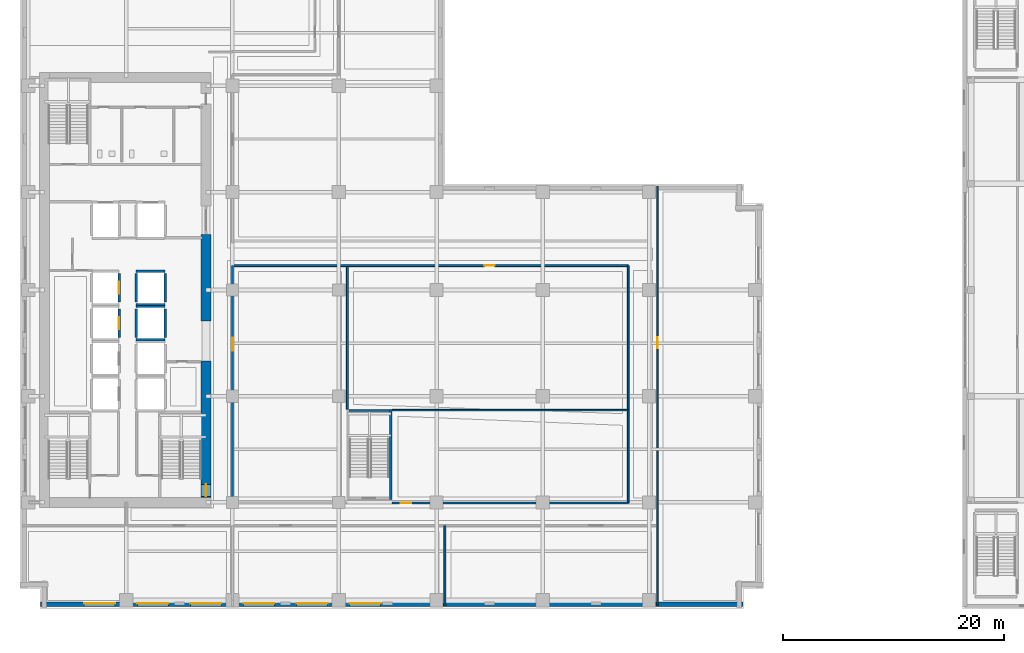
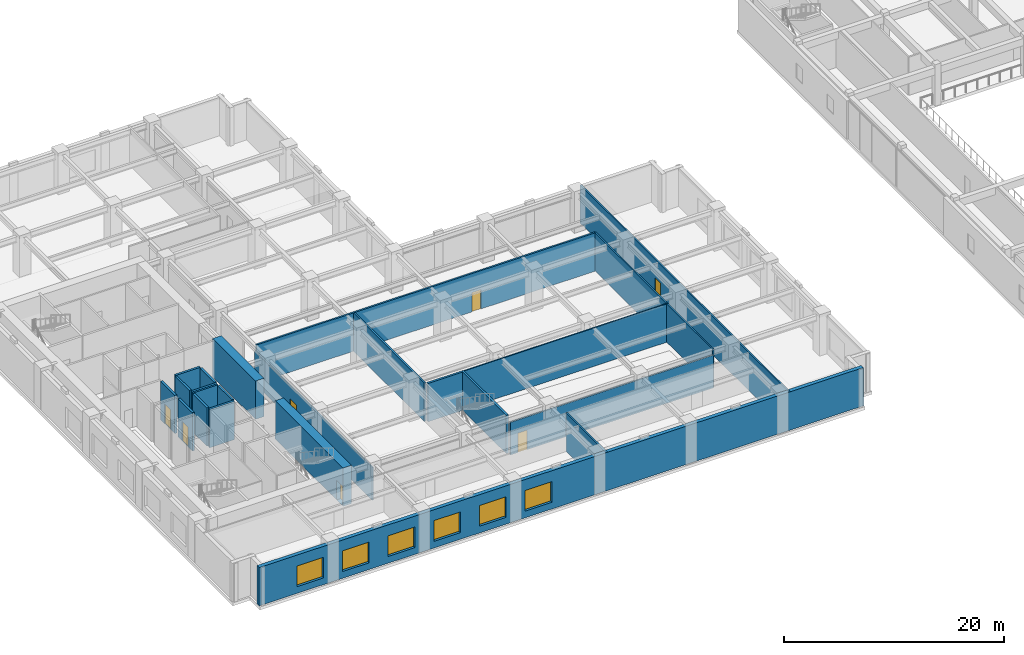
# One storey, part 6 of 24: 23 walls, 7 doors, 6 windows, 13 openings.
"""IFC4 building model written with IfcOpenShell, lengths in metres."""

from ifc_helpers import new_model, si_unit, direction, frame, frame_2d, origin, place, context, subcontext, project, spatial, rectangle, extrude, material, layer, layer_set, type_object, element, fill, save


model = new_model("IFC4")

# Units and contexts
model_context = context("Model", 3, precision=1e-05, world=origin(), true_north=direction((0.0, 1.0)))
body_context = subcontext(model_context, "Body", "Model", "MODEL_VIEW")
ifc_project = project(units=[si_unit("LENGTHUNIT", "METRE"), si_unit("AREAUNIT", "SQUARE_METRE"), si_unit("VOLUMEUNIT", "CUBIC_METRE"), si_unit("PLANEANGLEUNIT", "RADIAN"), si_unit("MASSUNIT", "GRAM", prefix="KILO")], contexts=[model_context])

# Site, building, storey
site_placement = place(None, origin())
site = spatial("IfcSite", under=ifc_project, at=site_placement, CompositionType="ELEMENT")
building_placement = place(site_placement, origin())
building = spatial("IfcBuilding", under=site, at=building_placement, Name="Norrvale University Quadrangle", CompositionType="ELEMENT")
storey_placement = place(building_placement, frame((0.0, 0.0, 15.0)))
storey = spatial("IfcBuildingStorey", under=building, at=storey_placement, Name="L03", CompositionType="ELEMENT", Elevation=15.0)

# Wall, opening, door
ifc_material_1 = material(Name="Concrete C80/95", Category="concrete")
ifc_layer_1 = layer(ifc_material_1, 0.89990234375, Name="Concrete C80/95")
ifc_layer_set_1 = layer_set([ifc_layer_1], Name="Concrete C80/95")
wall_type_1 = type_object("IfcWallType", Name="Wall Core 900", PredefinedType="SHEAR", material=ifc_layer_set_1)
wall_1_placement = place(storey_placement, frame((16.800048828125, 10.050048828125, 0.0), z_axis=(0.0, 0.0, 1.0), x_axis=(0.0, 1.0, 0.0)))
wall_1 = element("IfcWall", 1, at=wall_1_placement, inside=storey, type_object=wall_type_1, Name="Tower Core Shear Wall L03-E1", PredefinedType="SHEAR", context=body_context, shape_type="SweptSolid", body=[
    extrude(rectangle(XDim=12.349853515625, YDim=0.89990234375, at=frame_2d((6.1748046875, 0.0))), origin(), (0.0, 0.0, 1.0), 4.260009765625),
])
opening_1_placement = place(wall_1_placement, frame((0.090087890625, 0.0, 0.0)))
opening_1 = element("IfcOpeningElement", 2, at=opening_1_placement, cuts=wall_1, Name="Opening D02", PredefinedType="OPENING", context=body_context, shape_type="SweptSolid", body=[
    extrude(rectangle(XDim=1.10009765625, YDim=2.199951171875, at=frame_2d((0.550048828125, 1.10009765625))), frame((0.0, 0.4619140625, 0.0), z_axis=(0.0, -1.0, 0.0), x_axis=(1.0, 0.0, 0.0)), (0.0, 0.0, 1.0), 0.923828125),
])
ifc_material_2 = material(Name="Hollow Steel 350W Fire Door", Category="steel")
door_type_1 = type_object("IfcDoorType", Name="Door Stair Exit 1100x2200", OperationType="NOTDEFINED", PredefinedType="DOOR", material=ifc_material_2)
door_1_placement = place(opening_1_placement, origin())
door_1 = element("IfcDoor", 3, at=door_1_placement, inside=storey, type_object=door_type_1, Name="Door Stair Exit 1100x2200 DR-L03-ST03", OperationType="SINGLE_SWING_LEFT", OverallHeight=2.199951171875, OverallWidth=1.10009765625, PredefinedType="DOOR", context=body_context, shape_type="SweptSolid", body=[
    extrude(rectangle(XDim=1.10009765625, YDim=2.199951171875, at=frame_2d((0.550048828125, 1.10009765625))), frame((0.0, 0.02490234375, 0.0), z_axis=(0.0, -1.0, 0.0), x_axis=(1.0, 0.0, 0.0)), (0.0, 0.0, 1.0), 0.050048828125),
])
fill(opening_1, door_1)

# Walls
wall_2_placement = place(storey_placement, frame((16.800048828125, 26.0, 0.0), z_axis=(0.0, 0.0, 1.0), x_axis=(0.0, 1.0, 0.0)))
element("IfcWall", 4, at=wall_2_placement, inside=storey, type_object=wall_type_1, Name="Tower Core Shear Wall L03-E2", PredefinedType="SHEAR", context=body_context, shape_type="SweptSolid", body=[
    extrude(rectangle(XDim=7.800048828125, YDim=0.89990234375, at=frame_2d((3.89990234375, 0.0))), origin(), (0.0, 0.0, 1.0), 4.260009765625),
])
ifc_material_3 = material(Name="Standard Academic Gypsum Partition")
ifc_layer_2 = layer(ifc_material_3, 0.125, Name="Standard Academic Gypsum Partition")
ifc_layer_set_2 = layer_set([ifc_layer_2], Name="Standard Academic Gypsum Partition")
wall_type_2 = type_object("IfcWallType", Name="Wall Gypsum Academic 125", PredefinedType="PARTITIONING", material=ifc_layer_set_2)
wall_3_placement = place(storey_placement, frame((33.6201171875, 17.93994140625, 0.0), z_axis=(0.0, 0.0, 1.0), x_axis=(1.0, 0.0, 0.0)))
element("IfcWall", 5, at=wall_3_placement, inside=storey, type_object=wall_type_2, Name="Interior Partition WL-L03-ISLH", PredefinedType="PARTITIONING", context=body_context, shape_type="SweptSolid", body=[
    extrude(rectangle(XDim=21.35498046875, YDim=0.125, at=frame_2d((10.677490234375, 0.0))), origin(), (0.0, 0.0, 1.0), 4.260009765625),
])

# Wall, opening, door
ifc_material_4 = material(Name="Fire-Rated Gypsum Stud Partition")
ifc_layer_3 = layer(ifc_material_4, 0.14990234375, Name="Fire-Rated Gypsum Stud Partition")
ifc_layer_set_3 = layer_set([ifc_layer_3], Name="Fire-Rated Gypsum Stud Partition")
wall_type_3 = type_object("IfcWallType", Name="Wall Gypsum Corridor 150", PredefinedType="PARTITIONING", material=ifc_layer_set_3)
wall_4_placement = place(storey_placement, frame((57.60009765625, 0.219970703125, 0.0), z_axis=(0.0, 0.0, 1.0), x_axis=(0.0, 1.0, 0.0)))
wall_4 = element("IfcWall", 6, at=wall_4_placement, inside=storey, type_object=wall_type_3, Name="Interior Partition WL-L03-ECW", PredefinedType="PARTITIONING", context=body_context, shape_type="SweptSolid", body=[
    extrude(rectangle(XDim=37.9599609375, YDim=0.14990234375, at=frame_2d((18.97998046875, 0.0))), origin(), (0.0, 0.0, 1.0), 4.260009765625),
])
opening_2_placement = place(wall_4_placement, frame((23.330078125, 0.0, 0.0)))
opening_2 = element("IfcOpeningElement", 7, at=opening_2_placement, cuts=wall_4, Name="Opening D04", PredefinedType="OPENING", context=body_context, shape_type="SweptSolid", body=[
    extrude(rectangle(XDim=1.0, YDim=2.199951171875, at=frame_2d((0.5, 1.10009765625))), frame((0.0, 0.0869140625, 0.0), z_axis=(0.0, -1.0, 0.0), x_axis=(1.0, 0.0, 0.0)), (0.0, 0.0, 1.0), 0.173828125),
])
ifc_material_5 = material(Name="Solid-Core Oak Fire Door", Category="wood")
door_type_2 = type_object("IfcDoorType", Name="Door Corridor 1000x2200", OperationType="NOTDEFINED", PredefinedType="DOOR", material=ifc_material_5)
door_2_placement = place(opening_2_placement, origin())
door_2 = element("IfcDoor", 8, at=door_2_placement, inside=storey, type_object=door_type_2, Name="Door Corridor 1000x2200 DR-L03-E01", OperationType="SINGLE_SWING_RIGHT", OverallHeight=2.199951171875, OverallWidth=1.0, PredefinedType="DOOR", context=body_context, shape_type="SweptSolid", body=[
    extrude(rectangle(XDim=1.0, YDim=2.199951171875, at=frame_2d((0.5, 1.10009765625))), frame((0.0, 0.02490234375, 0.0), z_axis=(0.0, -1.0, 0.0), x_axis=(1.0, 0.0, 0.0)), (0.0, 0.0, 1.0), 0.050048828125),
])
fill(opening_2, door_2)

wall_5_placement = place(storey_placement, frame((19.199951171875, 9.550048828125, 0.0), z_axis=(0.0, 0.0, 1.0), x_axis=(0.0, 1.0, 0.0)))
wall_5 = element("IfcWall", 9, at=wall_5_placement, inside=storey, type_object=wall_type_3, Name="Interior Partition WL-L03-ISLW", PredefinedType="PARTITIONING", context=body_context, shape_type="SweptSolid", body=[
    extrude(rectangle(XDim=21.449951171875, YDim=0.14990234375, at=frame_2d((10.72509765625, 0.0))), origin(), (0.0, 0.0, 1.0), 3.64404296875),
])
opening_3_placement = place(wall_5_placement, frame((13.75, 0.0, 0.0)))
opening_3 = element("IfcOpeningElement", 10, at=opening_3_placement, cuts=wall_5, Name="Opening D05", PredefinedType="OPENING", context=body_context, shape_type="SweptSolid", body=[
    extrude(rectangle(XDim=1.199951171875, YDim=2.199951171875, at=frame_2d((0.60009765625, 1.10009765625))), frame((0.0, 0.0869140625, 0.0), z_axis=(0.0, -1.0, 0.0), x_axis=(1.0, 0.0, 0.0)), (0.0, 0.0, 1.0), 0.173828125),
])
ifc_material_6 = material(Name="Acoustic Oak Classroom Door", Category="wood")
door_type_3 = type_object("IfcDoorType", Name="Door Classroom 1200x2200", OperationType="NOTDEFINED", PredefinedType="DOOR", material=ifc_material_6)
door_3_placement = place(opening_3_placement, origin())
door_3 = element("IfcDoor", 11, at=door_3_placement, inside=storey, type_object=door_type_3, Name="Door Classroom 1200x2200 DR-L03-IW1", OperationType="SINGLE_SWING_LEFT", OverallHeight=2.199951171875, OverallWidth=1.199951171875, PredefinedType="DOOR", context=body_context, shape_type="SweptSolid", body=[
    extrude(rectangle(XDim=1.199951171875, YDim=2.199951171875, at=frame_2d((0.60009765625, 1.10009765625))), frame((0.0, 0.02490234375, 0.0), z_axis=(0.0, -1.0, 0.0), x_axis=(1.0, 0.0, 0.0)), (0.0, 0.0, 1.0), 0.050048828125),
])
fill(opening_3, door_3)

wall_6_placement = place(storey_placement, frame((33.6201171875, 9.550048828125, 0.0), z_axis=(0.0, 0.0, 1.0), x_axis=(1.0, 0.0, 0.0)))
wall_6 = element("IfcWall", 12, at=wall_6_placement, inside=storey, type_object=wall_type_3, Name="Interior Partition WL-L03-ISLS2", PredefinedType="PARTITIONING", context=body_context, shape_type="SweptSolid", body=[
    extrude(rectangle(XDim=21.35498046875, YDim=0.14990234375, at=frame_2d((10.677490234375, 0.0))), origin(), (0.0, 0.0, 1.0), 3.64404296875),
])
opening_4_placement = place(wall_6_placement, frame((0.800048828125, 0.0, 0.0)))
opening_4 = element("IfcOpeningElement", 13, at=opening_4_placement, cuts=wall_6, Name="Opening D07", PredefinedType="OPENING", context=body_context, shape_type="SweptSolid", body=[
    extrude(rectangle(XDim=0.949951171875, YDim=2.14990234375, at=frame_2d((0.47509765625, 1.074951171875))), frame((0.0, 0.0869140625, 0.0), z_axis=(0.0, -1.0, 0.0), x_axis=(1.0, 0.0, 0.0)), (0.0, 0.0, 1.0), 0.173828125),
])
ifc_material_7 = material(Name="Solid-Core Maple Door", Category="wood")
door_type_4 = type_object("IfcDoorType", Name="Door Office 950x2150", OperationType="NOTDEFINED", PredefinedType="DOOR", material=ifc_material_7)
door_4_placement = place(opening_4_placement, origin())
door_4 = element("IfcDoor", 14, at=door_4_placement, inside=storey, type_object=door_type_4, Name="Door Office 950x2150 DR-L03-ISE", OperationType="SINGLE_SWING_LEFT", OverallHeight=2.14990234375, OverallWidth=0.949951171875, PredefinedType="DOOR", context=body_context, shape_type="SweptSolid", body=[
    extrude(rectangle(XDim=0.949951171875, YDim=2.14990234375, at=frame_2d((0.47509765625, 1.074951171875))), frame((0.0, 0.02490234375, 0.0), z_axis=(0.0, -1.0, 0.0), x_axis=(1.0, 0.0, 0.0)), (0.0, 0.0, 1.0), 0.050048828125),
])
fill(opening_4, door_4)

# Walls
wall_7_placement = place(storey_placement, frame((54.97509765625, 9.550048828125, 0.0), z_axis=(0.0, 0.0, 1.0), x_axis=(0.0, 1.0, 0.0)))
element("IfcWall", 15, at=wall_7_placement, inside=storey, type_object=wall_type_3, Name="Interior Partition WL-L03-ISLE", PredefinedType="PARTITIONING", context=body_context, shape_type="SweptSolid", body=[
    extrude(rectangle(XDim=21.449951171875, YDim=0.14990234375, at=frame_2d((10.72509765625, 0.0))), origin(), (0.0, 0.0, 1.0), 4.260009765625),
])
ifc_material_8 = material(Name="Acoustic Double-Stud Gypsum Partition")
ifc_layer_4 = layer(ifc_material_8, 0.179931640625, Name="Acoustic Double-Stud Gypsum Partition")
ifc_layer_set_4 = layer_set([ifc_layer_4], Name="Acoustic Double-Stud Gypsum Partition")
wall_type_4 = type_object("IfcWallType", Name="Wall Gypsum Lecture 180", PredefinedType="PARTITIONING", material=ifc_layer_set_4)
wall_8_placement = place(storey_placement, frame((29.580078125, 18.02490234375, 0.0), z_axis=(0.0, 0.0, 1.0), x_axis=(0.0, 1.0, 0.0)))
element("IfcWall", 16, at=wall_8_placement, inside=storey, type_object=wall_type_4, Name="Interior Partition WL-L03-ISLD", PredefinedType="PARTITIONING", context=body_context, shape_type="SweptSolid", body=[
    extrude(rectangle(XDim=12.880126953125, YDim=0.179931640625, at=frame_2d((6.43994140625, 0.0))), origin(), (0.0, 0.0, 1.0), 4.260009765625),
])

# Wall, opening, door
wall_9_placement = place(storey_placement, frame((19.280029296875, 31.0, 0.0), z_axis=(0.0, 0.0, 1.0), x_axis=(1.0, 0.0, 0.0)))
wall_9 = element("IfcWall", 17, at=wall_9_placement, inside=storey, type_object=wall_type_4, Name="Interior Partition WL-L03-ISLN", PredefinedType="PARTITIONING", context=body_context, shape_type="SweptSolid", body=[
    extrude(rectangle(XDim=35.695068359375, YDim=0.179931640625, at=frame_2d((17.84765625, 0.0))), origin(), (0.0, 0.0, 1.0), 4.260009765625),
])
opening_5_placement = place(wall_9_placement, frame((22.669921875, 0.0, 0.0)))
opening_5 = element("IfcOpeningElement", 18, at=opening_5_placement, cuts=wall_9, Name="Opening D07", PredefinedType="OPENING", context=body_context, shape_type="SweptSolid", body=[
    extrude(rectangle(XDim=0.949951171875, YDim=2.14990234375, at=frame_2d((0.47509765625, 1.074951171875))), frame((0.0, 0.10205078125, 0.0), z_axis=(0.0, -1.0, 0.0), x_axis=(1.0, 0.0, 0.0)), (0.0, 0.0, 1.0), 0.203857421875),
])
door_5_placement = place(opening_5_placement, origin())
door_5 = element("IfcDoor", 19, at=door_5_placement, inside=storey, type_object=door_type_4, Name="Door Office 950x2150 DR-L03-ILH", OperationType="SINGLE_SWING_RIGHT", OverallHeight=2.14990234375, OverallWidth=0.949951171875, PredefinedType="DOOR", context=body_context, shape_type="SweptSolid", body=[
    extrude(rectangle(XDim=0.949951171875, YDim=2.14990234375, at=frame_2d((0.47509765625, 1.074951171875))), frame((0.0, 0.02490234375, 0.0), z_axis=(0.0, -1.0, 0.0), x_axis=(1.0, 0.0, 0.0)), (0.0, 0.0, 1.0), 0.050048828125),
])
fill(opening_5, door_5)

# Wall
ifc_material_9 = material(Name="Sanitary Chase Gypsum Partition")
ifc_layer_5 = layer(ifc_material_9, 0.1650390625, Name="Sanitary Chase Gypsum Partition")
ifc_layer_set_5 = layer_set([ifc_layer_5], Name="Sanitary Chase Gypsum Partition")
wall_type_5 = type_object("IfcWallType", Name="Wall Gypsum Sanitary 165", PredefinedType="PLUMBINGWALL", material=ifc_layer_set_5)
wall_10_placement = place(storey_placement, frame((38.39990234375, 0.219970703125, 0.0), z_axis=(0.0, 0.0, 1.0), x_axis=(0.0, 1.0, 0.0)))
element("IfcWall", 20, at=wall_10_placement, inside=storey, type_object=wall_type_5, Name="Interior Partition WL-L03-SP02", PredefinedType="PLUMBINGWALL", context=body_context, shape_type="SweptSolid", body=[
    extrude(rectangle(XDim=7.280029296875, YDim=0.1650390625, at=frame_2d((3.64013671875, 0.0))), origin(), (0.0, 0.0, 1.0), 4.260009765625),
])

# Wall, openings, windows
ifc_material_10 = material(Name="Red Manganese Brick Masonry", Category="masonry")
ifc_layer_6 = layer(ifc_material_10, 0.39990234375, Name="Red Manganese Brick Masonry")
ifc_layer_set_6 = layer_set([ifc_layer_6], Name="Red Manganese Brick Masonry")
wall_type_6 = type_object("IfcWallType", Name="Wall Red Brick 400", PredefinedType="SOLIDWALL", material=ifc_layer_set_6)
wall_11_placement = place(storey_placement, frame((1.840087890625, 0.3798828125, 0.0), z_axis=(0.0, 0.0, 1.0), x_axis=(1.0, 0.0, 0.0)))
wall_11 = element("IfcWall", 21, at=wall_11_placement, inside=storey, type_object=wall_type_6, Name="Exterior Brick Facade Wall L03-01.1", PredefinedType="SOLIDWALL", context=body_context, shape_type="SweptSolid", body=[
    extrude(rectangle(XDim=63.52001953125, YDim=0.39990234375, at=frame_2d((31.760009765625, 0.0))), origin(), (0.0, 0.0, 1.0), 4.260009765625),
])
opening_6_placement = place(wall_11_placement, frame((3.9599609375, 0.0, 0.75)))
opening_6 = element("IfcOpeningElement", 22, at=opening_6_placement, cuts=wall_11, Name="Opening W05", PredefinedType="OPENING", context=body_context, shape_type="SweptSolid", body=[
    extrude(rectangle(XDim=2.800048828125, YDim=2.300048828125, at=frame_2d((1.39990234375, 1.14990234375))), frame((0.0, 0.2119140625, 0.0), z_axis=(0.0, -1.0, 0.0), x_axis=(1.0, 0.0, 0.0)), (0.0, 0.0, 1.0), 0.423828125),
])
opening_7_placement = place(wall_11_placement, frame((8.760009765625, 0.0, 0.75)))
opening_7 = element("IfcOpeningElement", 23, at=opening_7_placement, cuts=wall_11, Name="Opening W05", PredefinedType="OPENING", context=body_context, shape_type="SweptSolid", body=[
    extrude(rectangle(XDim=2.800048828125, YDim=2.300048828125, at=frame_2d((1.39990234375, 1.14990234375))), frame((0.0, 0.2119140625, 0.0), z_axis=(0.0, -1.0, 0.0), x_axis=(1.0, 0.0, 0.0)), (0.0, 0.0, 1.0), 0.423828125),
])
opening_8_placement = place(wall_11_placement, frame((13.56005859375, 0.0, 0.75)))
opening_8 = element("IfcOpeningElement", 24, at=opening_8_placement, cuts=wall_11, Name="Opening W05", PredefinedType="OPENING", context=body_context, shape_type="SweptSolid", body=[
    extrude(rectangle(XDim=2.800048828125, YDim=2.300048828125, at=frame_2d((1.39990234375, 1.14990234375))), frame((0.0, 0.2119140625, 0.0), z_axis=(0.0, -1.0, 0.0), x_axis=(1.0, 0.0, 0.0)), (0.0, 0.0, 1.0), 0.423828125),
])
opening_9_placement = place(wall_11_placement, frame((18.360107421875, 0.0, 0.75)))
opening_9 = element("IfcOpeningElement", 25, at=opening_9_placement, cuts=wall_11, Name="Opening W05", PredefinedType="OPENING", context=body_context, shape_type="SweptSolid", body=[
    extrude(rectangle(XDim=2.800048828125, YDim=2.300048828125, at=frame_2d((1.39990234375, 1.14990234375))), frame((0.0, 0.2119140625, 0.0), z_axis=(0.0, -1.0, 0.0), x_axis=(1.0, 0.0, 0.0)), (0.0, 0.0, 1.0), 0.423828125),
])
opening_10_placement = place(wall_11_placement, frame((23.159912109375, 0.0, 0.75)))
opening_10 = element("IfcOpeningElement", 26, at=opening_10_placement, cuts=wall_11, Name="Opening W05", PredefinedType="OPENING", context=body_context, shape_type="SweptSolid", body=[
    extrude(rectangle(XDim=2.800048828125, YDim=2.300048828125, at=frame_2d((1.39990234375, 1.14990234375))), frame((0.0, 0.2119140625, 0.0), z_axis=(0.0, -1.0, 0.0), x_axis=(1.0, 0.0, 0.0)), (0.0, 0.0, 1.0), 0.423828125),
])
opening_11_placement = place(wall_11_placement, frame((27.9599609375, 0.0, 0.75)))
opening_11 = element("IfcOpeningElement", 27, at=opening_11_placement, cuts=wall_11, Name="Opening W05", PredefinedType="OPENING", context=body_context, shape_type="SweptSolid", body=[
    extrude(rectangle(XDim=2.800048828125, YDim=2.300048828125, at=frame_2d((1.39990234375, 1.14990234375))), frame((0.0, 0.2119140625, 0.0), z_axis=(0.0, -1.0, 0.0), x_axis=(1.0, 0.0, 0.0)), (0.0, 0.0, 1.0), 0.423828125),
])
ifc_material_11 = material(Name="Bird-Friendly Fritted Triple Glazing", Category="glass")
window_type = type_object("IfcWindowType", Name="Window Podium 2800x2800", PartitioningType="TRIPLE_PANEL_VERTICAL", PredefinedType="WINDOW", material=ifc_material_11)
window_1_placement = place(opening_6_placement, origin())
window_1 = element("IfcWindow", 28, at=window_1_placement, inside=storey, type_object=window_type, Name="Window Podium 2800x2800 WIN-L03-E01-1-01", OverallHeight=2.300048828125, OverallWidth=2.800048828125, PartitioningType="TRIPLE_PANEL_VERTICAL", PredefinedType="WINDOW", context=body_context, shape_type="SweptSolid", body=[
    extrude(rectangle(XDim=2.800048828125, YDim=2.300048828125, at=frame_2d((1.39990234375, 1.14990234375))), frame((0.0, 0.110107421875, 0.0), z_axis=(0.0, -1.0, 0.0), x_axis=(1.0, 0.0, 0.0)), (0.0, 0.0, 1.0), 0.06005859375),
])
fill(opening_6, window_1)
window_2_placement = place(opening_7_placement, origin())
window_2 = element("IfcWindow", 29, at=window_2_placement, inside=storey, type_object=window_type, Name="Window Podium 2800x2800 WIN-L03-E01-1-02", OverallHeight=2.300048828125, OverallWidth=2.800048828125, PartitioningType="TRIPLE_PANEL_VERTICAL", PredefinedType="WINDOW", context=body_context, shape_type="SweptSolid", body=[
    extrude(rectangle(XDim=2.800048828125, YDim=2.300048828125, at=frame_2d((1.39990234375, 1.14990234375))), frame((0.0, 0.110107421875, 0.0), z_axis=(0.0, -1.0, 0.0), x_axis=(1.0, 0.0, 0.0)), (0.0, 0.0, 1.0), 0.06005859375),
])
fill(opening_7, window_2)
window_3_placement = place(opening_8_placement, origin())
window_3 = element("IfcWindow", 30, at=window_3_placement, inside=storey, type_object=window_type, Name="Window Podium 2800x2800 WIN-L03-E01-1-03", OverallHeight=2.300048828125, OverallWidth=2.800048828125, PartitioningType="TRIPLE_PANEL_VERTICAL", PredefinedType="WINDOW", context=body_context, shape_type="SweptSolid", body=[
    extrude(rectangle(XDim=2.800048828125, YDim=2.300048828125, at=frame_2d((1.39990234375, 1.14990234375))), frame((0.0, 0.110107421875, 0.0), z_axis=(0.0, -1.0, 0.0), x_axis=(1.0, 0.0, 0.0)), (0.0, 0.0, 1.0), 0.06005859375),
])
fill(opening_8, window_3)
window_4_placement = place(opening_9_placement, origin())
window_4 = element("IfcWindow", 31, at=window_4_placement, inside=storey, type_object=window_type, Name="Window Podium 2800x2800 WIN-L03-E01-1-04", OverallHeight=2.300048828125, OverallWidth=2.800048828125, PartitioningType="TRIPLE_PANEL_VERTICAL", PredefinedType="WINDOW", context=body_context, shape_type="SweptSolid", body=[
    extrude(rectangle(XDim=2.800048828125, YDim=2.300048828125, at=frame_2d((1.39990234375, 1.14990234375))), frame((0.0, 0.110107421875, 0.0), z_axis=(0.0, -1.0, 0.0), x_axis=(1.0, 0.0, 0.0)), (0.0, 0.0, 1.0), 0.06005859375),
])
fill(opening_9, window_4)
window_5_placement = place(opening_10_placement, origin())
window_5 = element("IfcWindow", 32, at=window_5_placement, inside=storey, type_object=window_type, Name="Window Podium 2800x2800 WIN-L03-E01-1-05", OverallHeight=2.300048828125, OverallWidth=2.800048828125, PartitioningType="TRIPLE_PANEL_VERTICAL", PredefinedType="WINDOW", context=body_context, shape_type="SweptSolid", body=[
    extrude(rectangle(XDim=2.800048828125, YDim=2.300048828125, at=frame_2d((1.39990234375, 1.14990234375))), frame((0.0, 0.110107421875, 0.0), z_axis=(0.0, -1.0, 0.0), x_axis=(1.0, 0.0, 0.0)), (0.0, 0.0, 1.0), 0.06005859375),
])
fill(opening_10, window_5)
window_6_placement = place(opening_11_placement, origin())
window_6 = element("IfcWindow", 33, at=window_6_placement, inside=storey, type_object=window_type, Name="Window Podium 2800x2800 WIN-L03-E01-1-06", OverallHeight=2.300048828125, OverallWidth=2.800048828125, PartitioningType="TRIPLE_PANEL_VERTICAL", PredefinedType="WINDOW", context=body_context, shape_type="SweptSolid", body=[
    extrude(rectangle(XDim=2.800048828125, YDim=2.300048828125, at=frame_2d((1.39990234375, 1.14990234375))), frame((0.0, 0.110107421875, 0.0), z_axis=(0.0, -1.0, 0.0), x_axis=(1.0, 0.0, 0.0)), (0.0, 0.0, 1.0), 0.06005859375),
])
fill(opening_11, window_6)

# Walls
ifc_material_12 = material(Name="Concrete Blockwork 20 MPa Fire Shaft", Category="masonry")
ifc_layer_7 = layer(ifc_material_12, 0.219970703125, Name="Concrete Blockwork 20 MPa Fire Shaft")
ifc_layer_set_7 = layer_set([ifc_layer_7], Name="Concrete Blockwork 20 MPa Fire Shaft")
wall_type_7 = type_object("IfcWallType", Name="Wall Shaft 220", PredefinedType="SOLIDWALL", material=ifc_layer_set_7)
wall_12_placement = place(storey_placement, frame((33.510009765625, 9.8798828125, 0.0), z_axis=(0.0, 0.0, 1.0), x_axis=(0.0, 1.0, 0.0)))
element("IfcWall", 34, at=wall_12_placement, inside=storey, type_object=wall_type_7, Name="Stair ST-04 East Shaft Wall L03", PredefinedType="SOLIDWALL", context=body_context, shape_type="SweptSolid", body=[
    extrude(rectangle(XDim=8.14013671875, YDim=0.219970703125, at=frame_2d((4.070068359375, 0.0))), origin(), (0.0, 0.0, 1.0), 4.260009765625),
])
wall_13_placement = place(storey_placement, frame((29.75, 17.909912109375, 0.0), z_axis=(0.0, 0.0, 1.0), x_axis=(1.0, 0.0, 0.0)))
element("IfcWall", 35, at=wall_13_placement, inside=storey, type_object=wall_type_7, Name="Stair ST-04 North Shaft Wall L03", PredefinedType="SOLIDWALL", context=body_context, shape_type="SweptSolid", body=[
    extrude(rectangle(XDim=3.64990234375, YDim=0.219970703125, at=frame_2d((1.824951171875, 0.0))), origin(), (0.0, 0.0, 1.0), 4.260009765625),
])

# Wall, opening, door
wall_14_placement = place(storey_placement, frame((8.9599609375, 24.510009765625, 0.0), z_axis=(0.0, 0.0, 1.0), x_axis=(0.0, 1.0, 0.0)))
wall_14 = element("IfcWall", 36, at=wall_14_placement, inside=storey, type_object=wall_type_7, Name="Hoistway PL-03 East Wall L03", PredefinedType="SOLIDWALL", context=body_context, shape_type="SweptSolid", body=[
    extrude(rectangle(XDim=2.580078125, YDim=0.219970703125, at=frame_2d((1.2900390625, 0.0))), origin(), (0.0, 0.0, 1.0), 4.260009765625),
])
opening_12_placement = place(wall_14_placement, frame((0.739990234375, 0.0, 0.0)))
opening_12 = element("IfcOpeningElement", 37, at=opening_12_placement, cuts=wall_14, Name="Opening LD1", PredefinedType="OPENING", context=body_context, shape_type="SweptSolid", body=[
    extrude(rectangle(XDim=1.10009765625, YDim=2.199951171875, at=frame_2d((0.550048828125, 1.10009765625))), frame((0.0, 0.1220703125, 0.0), z_axis=(0.0, -1.0, 0.0), x_axis=(1.0, 0.0, 0.0)), (0.0, 0.0, 1.0), 0.243896484375),
])
ifc_material_13 = material(Name="Stainless Steel 316L Lift Landing Door", Category="steel")
door_type_5 = type_object("IfcDoorType", Name="Door Lift Landing 1100x2200", OperationType="DOUBLE_DOOR_SLIDING", PredefinedType="DOOR", material=ifc_material_13)
door_6_placement = place(opening_12_placement, origin())
door_6 = element("IfcDoor", 38, at=door_6_placement, inside=storey, type_object=door_type_5, Name="Elevator Landing Door DR-L03-PL-03", OperationType="DOUBLE_DOOR_SLIDING", OverallHeight=2.199951171875, OverallWidth=1.10009765625, PredefinedType="DOOR", context=body_context, shape_type="SweptSolid", body=[
    extrude(rectangle(XDim=1.10009765625, YDim=2.199951171875, at=frame_2d((0.550048828125, 1.10009765625))), frame((0.0, 0.02490234375, 0.0), z_axis=(0.0, -1.0, 0.0), x_axis=(1.0, 0.0, 0.0)), (0.0, 0.0, 1.0), 0.050048828125),
])
fill(opening_12, door_6)

wall_15_placement = place(storey_placement, frame((8.9599609375, 27.7099609375, 0.0), z_axis=(0.0, 0.0, 1.0), x_axis=(0.0, 1.0, 0.0)))
wall_15 = element("IfcWall", 39, at=wall_15_placement, inside=storey, type_object=wall_type_7, Name="Hoistway PL-04 East Wall L03", PredefinedType="SOLIDWALL", context=body_context, shape_type="SweptSolid", body=[
    extrude(rectangle(XDim=2.580078125, YDim=0.219970703125, at=frame_2d((1.2900390625, 0.0))), origin(), (0.0, 0.0, 1.0), 4.260009765625),
])
opening_13_placement = place(wall_15_placement, frame((0.739990234375, 0.0, 0.0)))
opening_13 = element("IfcOpeningElement", 40, at=opening_13_placement, cuts=wall_15, Name="Opening LD1", PredefinedType="OPENING", context=body_context, shape_type="SweptSolid", body=[
    extrude(rectangle(XDim=1.10009765625, YDim=2.199951171875, at=frame_2d((0.550048828125, 1.10009765625))), frame((0.0, 0.1220703125, 0.0), z_axis=(0.0, -1.0, 0.0), x_axis=(1.0, 0.0, 0.0)), (0.0, 0.0, 1.0), 0.243896484375),
])
door_7_placement = place(opening_13_placement, origin())
door_7 = element("IfcDoor", 41, at=door_7_placement, inside=storey, type_object=door_type_5, Name="Elevator Landing Door DR-L03-PL-04", OperationType="DOUBLE_DOOR_SLIDING", OverallHeight=2.199951171875, OverallWidth=1.10009765625, PredefinedType="DOOR", context=body_context, shape_type="SweptSolid", body=[
    extrude(rectangle(XDim=1.10009765625, YDim=2.199951171875, at=frame_2d((0.550048828125, 1.10009765625))), frame((0.0, 0.02490234375, 0.0), z_axis=(0.0, -1.0, 0.0), x_axis=(1.0, 0.0, 0.0)), (0.0, 0.0, 1.0), 0.050048828125),
])
fill(opening_13, door_7)

# Walls
for number, where, z_axis, x_axis, name in (
    (42, (10.489990234375, 24.510009765625, 0.0), (0.0, 0.0, 1.0), (0.0, 1.0, 0.0), "Hoistway PL-07 West Wall L03"),
    (43, (13.110107421875, 24.510009765625, 0.0), (0.0, 0.0, 1.0), (0.0, 1.0, 0.0), "Hoistway PL-07 East Wall L03"),
):
    element("IfcWall", number, at=place(storey_placement, frame(where, z_axis=z_axis, x_axis=x_axis)), inside=storey, type_object=wall_type_7, Name=name, PredefinedType="SOLIDWALL", context=body_context, shape_type="SweptSolid", body=[
        extrude(rectangle(XDim=2.580078125, YDim=0.219970703125, at=frame_2d((1.2900390625, 0.0))), origin(), (0.0, 0.0, 1.0), 4.260009765625),
    ])
for number, where, z_axis, x_axis, name in (
    (44, (10.489990234375, 24.2900390625, 0.0), (0.0, 0.0, 1.0), (1.0, 0.0, 0.0), "Hoistway PL-07 South Wall L03"),
    (45, (10.489990234375, 27.31005859375, 0.0), (0.0, 0.0, 1.0), (1.0, 0.0, 0.0), "Hoistway PL-07 North Wall L03"),
):
    element("IfcWall", number, at=place(storey_placement, frame(where, z_axis=z_axis, x_axis=x_axis)), inside=storey, type_object=wall_type_7, Name=name, PredefinedType="SOLIDWALL", context=body_context, shape_type="SweptSolid", body=[
        extrude(rectangle(XDim=2.6201171875, YDim=0.219970703125, at=frame_2d((1.31005859375, 0.0))), origin(), (0.0, 0.0, 1.0), 4.260009765625),
    ])
for number, where, z_axis, x_axis, name in (
    (46, (10.489990234375, 27.7099609375, 0.0), (0.0, 0.0, 1.0), (0.0, 1.0, 0.0), "Hoistway PL-08 West Wall L03"),
    (47, (13.110107421875, 27.7099609375, 0.0), (0.0, 0.0, 1.0), (0.0, 1.0, 0.0), "Hoistway PL-08 East Wall L03"),
):
    element("IfcWall", number, at=place(storey_placement, frame(where, z_axis=z_axis, x_axis=x_axis)), inside=storey, type_object=wall_type_7, Name=name, PredefinedType="SOLIDWALL", context=body_context, shape_type="SweptSolid", body=[
        extrude(rectangle(XDim=2.580078125, YDim=0.219970703125, at=frame_2d((1.2900390625, 0.0))), origin(), (0.0, 0.0, 1.0), 4.260009765625),
    ])
for number, where, z_axis, x_axis, name in (
    (48, (10.489990234375, 27.489990234375, 0.0), (0.0, 0.0, 1.0), (1.0, 0.0, 0.0), "Hoistway PL-08 South Wall L03"),
    (49, (10.489990234375, 30.510009765625, 0.0), (0.0, 0.0, 1.0), (1.0, 0.0, 0.0), "Hoistway PL-08 North Wall L03"),
):
    element("IfcWall", number, at=place(storey_placement, frame(where, z_axis=z_axis, x_axis=x_axis)), inside=storey, type_object=wall_type_7, Name=name, PredefinedType="SOLIDWALL", context=body_context, shape_type="SweptSolid", body=[
        extrude(rectangle(XDim=2.6201171875, YDim=0.219970703125, at=frame_2d((1.31005859375, 0.0))), origin(), (0.0, 0.0, 1.0), 4.260009765625),
    ])

save(model, "model.ifc")
